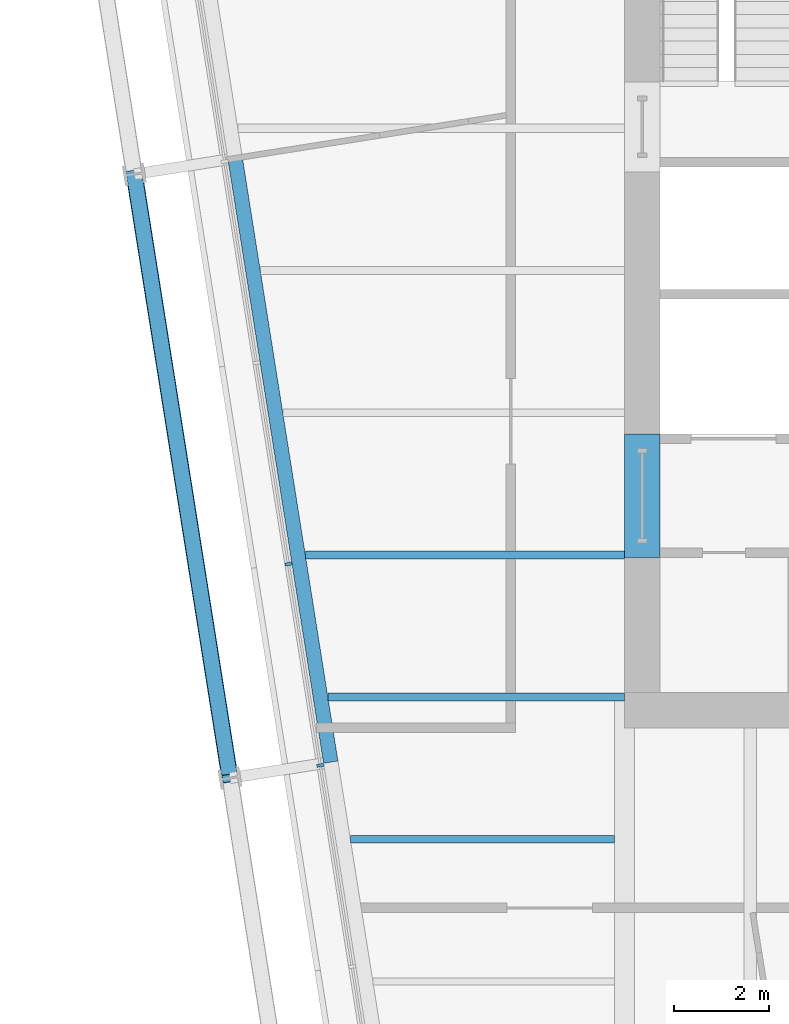
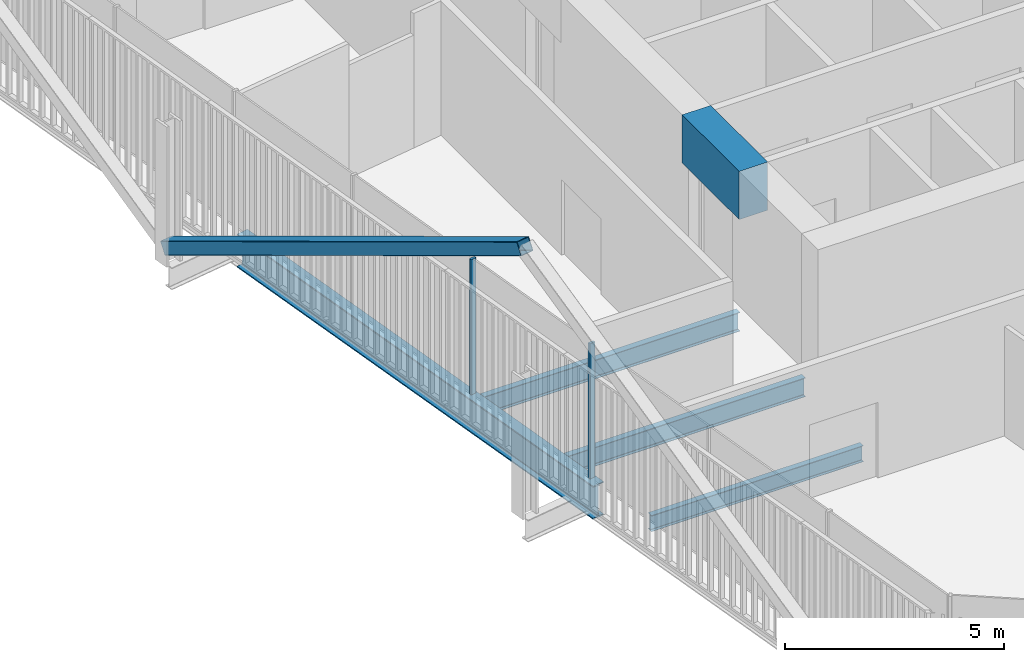
# One storey, part 4 of 22: 5 beams, 3 members, 1 element without a shape of its own.
"""IFC4 building model written with IfcOpenShell, lengths in metres."""

from ifc_helpers import new_model, si_unit, direction, frame, origin, origin_2d, place, context, subcontext, project, spatial, rectangle, hollow_rectangle, i_section, extrude, material, layer, layer_set, material_profile, profile_set, type_object, element, aggregate, save


model = new_model("IFC4")

# Units and contexts
model_context = context("Model", 3, precision=1e-05, world=origin(), true_north=direction((0.0, 1.0)))
body_context = subcontext(model_context, "Body", "Model", "MODEL_VIEW")
ifc_project = project(units=[si_unit("LENGTHUNIT", "METRE"), si_unit("AREAUNIT", "SQUARE_METRE"), si_unit("VOLUMEUNIT", "CUBIC_METRE"), si_unit("PLANEANGLEUNIT", "RADIAN"), si_unit("MASSUNIT", "GRAM", prefix="KILO")], contexts=[model_context])

# Site, building, storey
site_placement = place(None, origin())
site = spatial("IfcSite", under=ifc_project, at=site_placement, CompositionType="ELEMENT")
building_placement = place(site_placement, origin())
building = spatial("IfcBuilding", under=site, at=building_placement, Name="Millrace Tower", CompositionType="ELEMENT")
storey_placement = place(building_placement, frame((0.0, 0.0, 145.10009765625)))
storey = spatial("IfcBuildingStorey", under=building, at=storey_placement, Name="L32", CompositionType="ELEMENT", Elevation=145.10009765625)

# Curtain wall, members
ifc_material_1 = material(Name="Aluminium and glass", Category="aluminium")
ifc_layer = layer(ifc_material_1, 0.14990234375)
ifc_layer_set = layer_set([ifc_layer], Name="Aluminium and glass")
curtain_wall_type = type_object("IfcCurtainWallType", Name="CW-1 office vision curtain wall", PredefinedType="NOTDEFINED", material=ifc_layer_set)
curtain_wall_placement = place(storey_placement, origin())
curtain_wall = element("IfcCurtainWall", 1, at=curtain_wall_placement, inside=storey, type_object=curtain_wall_type, Name="Curtain wall C-F08 L32", PredefinedType="NOTDEFINED")
ifc_material_2 = material(Name="Aluminium", Category="aluminium")
ifc_material_profile_1 = material_profile(ifc_material_2, rectangle(XDim=0.06494140625, YDim=0.14990234375, at=origin_2d()))
ifc_profile_set_1 = profile_set([ifc_material_profile_1], Name="Aluminium")
member_type_1 = type_object("IfcMemberType", Name="CW-1 office vision curtain wall mullion", PredefinedType="MULLION", material=ifc_profile_set_1)
member_1_placement = place(storey_placement, frame((-21.743408203125, -6.193603515625, 0.139892578125), z_axis=(0.0, 0.0, 1.0), x_axis=(0.15643447328, -0.98768833929, 0.0)))
member_1 = element("IfcMember", 2, at=member_1_placement, type_object=member_type_1, Name="CW1 mullion C-F08.6", PredefinedType="MULLION", context=body_context, shape_type="SweptSolid", body=[
    extrude(rectangle(XDim=0.06494140625, YDim=0.14990234375, at=origin_2d()), origin(), (0.0, 0.0, 1.0), 3.760009765625),
])
member_2_placement = place(storey_placement, frame((-21.070556640625, -10.440673828125, 0.139892578125), z_axis=(0.0, 0.0, 1.0), x_axis=(0.15643447328, -0.98768833929, 0.0)))
member_2 = element("IfcMember", 3, at=member_2_placement, type_object=member_type_1, Name="CW1 mullion C-F08.7", PredefinedType="MULLION", context=body_context, shape_type="SweptSolid", body=[
    extrude(rectangle(XDim=0.06494140625, YDim=0.14990234375, at=origin_2d()), origin(), (0.0, 0.0, 1.0), 3.760009765625),
])
aggregate(curtain_wall, [member_1, member_2])

# Beam
ifc_material_3 = material(Name="Concrete C70", Category="concrete")
ifc_material_profile_2 = material_profile(ifc_material_3, rectangle(XDim=0.75, YDim=1.340087890625, at=origin_2d()))
ifc_profile_set_2 = profile_set([ifc_material_profile_2], Name="Concrete C70")
beam_type_1 = type_object("IfcBeamType", Name="Coupling beam 750 x 1340 Concrete C70, 2000 opening", PredefinedType="BEAM", material=ifc_profile_set_2)
beam_1_placement = place(storey_placement, frame((-14.27490234375, -6.050048828125, 3.06982421875), z_axis=(0.0, 1.0, 0.0), x_axis=(-1.0, 0.0, 0.0)))
element("IfcBeam", 4, at=beam_1_placement, inside=storey, type_object=beam_type_1, Name="Coupling beam W L32", PredefinedType="BEAM", context=body_context, shape_type="SweptSolid", body=[
    extrude(rectangle(XDim=0.75, YDim=1.340087890625, at=origin_2d()), origin(), (0.0, 0.0, 1.0), 2.60009765625),
])

# Member
ifc_material_4 = material(Name="Steel ASTM A500 Grade C", Category="steel")
ifc_material_profile_3 = material_profile(ifc_material_4, hollow_rectangle(XDim=0.355712890625, YDim=0.355712890625, WallThickness=0.015869140625, InnerFilletRadius=0.008056640625, OuterFilletRadius=0.02392578125, at=origin_2d()))
ifc_profile_set_3 = profile_set([ifc_material_profile_3], Name="Steel ASTM A500 Grade C")
member_type_2 = type_object("IfcMemberType", Name="Exoskeleton brace HSS14x14x5/8", PredefinedType="BRACE", material=ifc_profile_set_3)
member_3_placement = place(storey_placement, frame((-24.9951171875, 2.031494140625, 0.39990234375), z_axis=(0.137499609887, -0.868113917345, 0.476940335673), x_axis=(0.987687659758, 0.156438763615, 0.0)))
element("IfcMember", 5, at=member_3_placement, inside=storey, type_object=member_type_2, Name="BRC-C-L32-15", PredefinedType="BRACE", context=body_context, shape_type="SweptSolid", body=[
    extrude(hollow_rectangle(XDim=0.355712890625, YDim=0.355712890625, WallThickness=0.015869140625, InnerFilletRadius=0.008056640625, OuterFilletRadius=0.02392578125, at=origin_2d()), origin(), (0.0, 0.0, 1.0), 14.677001953125),
])

# Beams
ifc_material_5 = material(Name="Steel ASTM A992 Grade 50", Category="steel")
ifc_material_profile_4 = material_profile(ifc_material_5, i_section(OverallWidth=0.15234375, OverallDepth=0.449462890625, WebThickness=0.007568359375, FlangeThickness=0.0107421875, FilletRadius=0.01025390625, at=origin_2d()))
ifc_profile_set_4 = profile_set([ifc_material_profile_4], Name="Steel ASTM A992 Grade 50")
beam_type_2 = type_object("IfcBeamType", Name="Floor beam W18x35", PredefinedType="JOIST", material=ifc_profile_set_4)
beam_2_placement = place(storey_placement, frame((-20.4365234375, -12.0, -0.384765625), z_axis=(1.0, 0.0, 0.0), x_axis=(0.0, 1.0, 0.0)))
element("IfcBeam", 6, at=beam_2_placement, inside=storey, type_object=beam_type_2, Name="BM-C-L32-S1-S008", PredefinedType="JOIST", context=body_context, shape_type="SweptSolid", body=[
    extrude(i_section(OverallWidth=0.15234375, OverallDepth=0.449462890625, WebThickness=0.007568359375, FlangeThickness=0.0107421875, FilletRadius=0.01025390625, at=origin_2d()), origin(), (0.0, 0.0, 1.0), 5.576904296875),
])
ifc_material_6 = material(Name="Steel ASTM A992 Grade 50", Category="steel")
ifc_material_profile_5 = material_profile(ifc_material_6, i_section(OverallWidth=0.1650390625, OverallDepth=0.52587890625, WebThickness=0.0087890625, FlangeThickness=0.011474609375, FilletRadius=0.0126953125, at=origin_2d()))
ifc_profile_set_5 = profile_set([ifc_material_profile_5], Name="Steel ASTM A992 Grade 50")
beam_type_3 = type_object("IfcBeamType", Name="Floor beam W21x44", PredefinedType="JOIST", material=ifc_profile_set_5)
beam_3_placement = place(storey_placement, frame((-20.91162109375, -9.0, -0.423095703125), z_axis=(1.0, 0.0, 0.0), x_axis=(0.0, 1.0, 0.0)))
element("IfcBeam", 7, at=beam_3_placement, inside=storey, type_object=beam_type_3, Name="BM-C-L32-S1-S011", PredefinedType="JOIST", context=body_context, shape_type="SweptSolid", body=[
    extrude(i_section(OverallWidth=0.1650390625, OverallDepth=0.52587890625, WebThickness=0.0087890625, FlangeThickness=0.011474609375, FilletRadius=0.0126953125, at=origin_2d()), origin(), (0.0, 0.0, 1.0), 6.26171875),
])
beam_4_placement = place(storey_placement, frame((-21.386962890625, -6.0, -0.423095703125), z_axis=(1.0, 0.0, 0.0), x_axis=(0.0, 1.0, 0.0)))
element("IfcBeam", 8, at=beam_4_placement, inside=storey, type_object=beam_type_3, Name="BM-C-L32-S1-S014", PredefinedType="JOIST", context=body_context, shape_type="SweptSolid", body=[
    extrude(i_section(OverallWidth=0.1650390625, OverallDepth=0.52587890625, WebThickness=0.0087890625, FlangeThickness=0.011474609375, FilletRadius=0.0126953125, at=origin_2d()), origin(), (0.0, 0.0, 1.0), 6.737060546875),
])
ifc_material_7 = material(Name="Steel ASTM A992 Grade 50", Category="steel")
ifc_material_profile_6 = material_profile(ifc_material_7, i_section(OverallWidth=0.307373046875, OverallDepth=0.927001953125, WebThickness=0.01953125, FlangeThickness=0.031982421875, FilletRadius=0.01904296875, at=origin_2d()))
ifc_profile_set_6 = profile_set([ifc_material_profile_6], Name="Steel ASTM A992 Grade 50")
beam_type_4 = type_object("IfcBeamType", Name="Ring beam medium span W36x194", PredefinedType="SPANDREL", material=ifc_profile_set_6)
beam_5_placement = place(storey_placement, frame((-20.849853515625, -10.372802734375, -0.62353515625), z_axis=(-0.156438763615, 0.987687659758, 0.0), x_axis=(-0.987687659758, -0.156438763615, 0.0)))
element("IfcBeam", 9, at=beam_5_placement, inside=storey, type_object=beam_type_4, Name="RNG-C-L32-S1-02", PredefinedType="SPANDREL", context=body_context, shape_type="SweptSolid", body=[
    extrude(i_section(OverallWidth=0.307373046875, OverallDepth=0.927001953125, WebThickness=0.01953125, FlangeThickness=0.031982421875, FilletRadius=0.01904296875, at=origin_2d()), origin(), (0.0, 0.0, 1.0), 12.900146484375),
])

save(model, "model.ifc")
